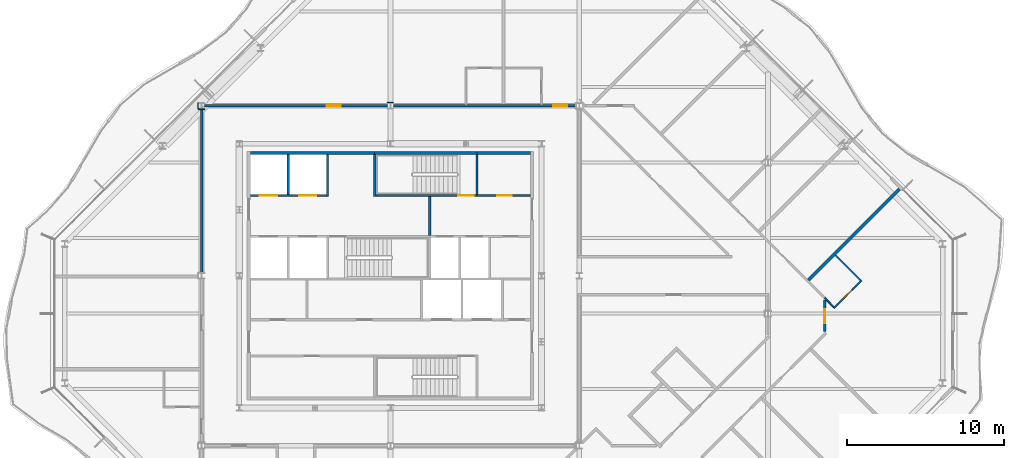
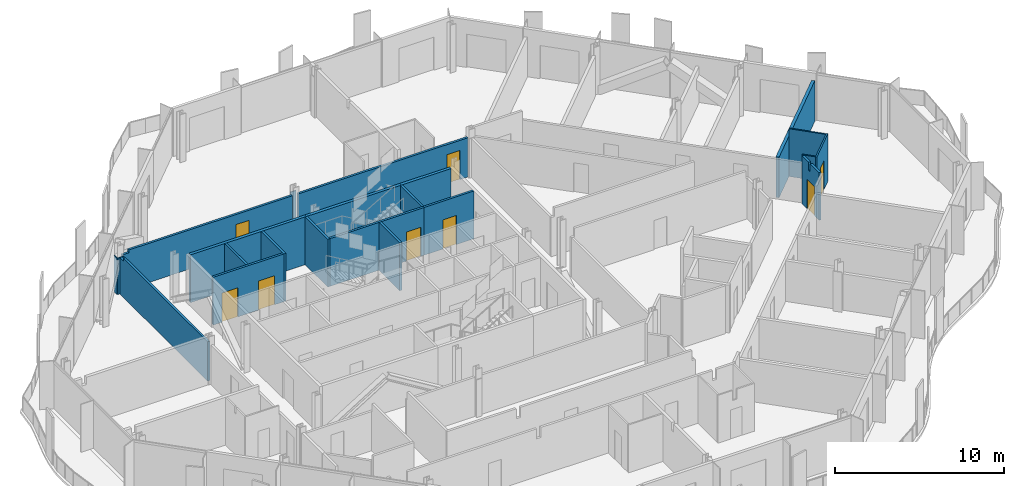
# One storey, part 10 of 17: 22 walls, 8 doors, 8 openings.
"""IFC4 building model written with IfcOpenShell, lengths in metres."""

from ifc_helpers import new_model, si_unit, direction, frame, frame_2d, origin, place, context, subcontext, project, spatial, polyline, rectangle, outline, extrude, material, layer, layer_set, type_object, element, fill, save


model = new_model("IFC4")

# Units and contexts
model_context = context("Model", 3, precision=1e-05, world=origin(), true_north=direction((0.0, 1.0)))
body_context = subcontext(model_context, "Body", "Model", "MODEL_VIEW")
ifc_project = project(units=[si_unit("LENGTHUNIT", "METRE"), si_unit("AREAUNIT", "SQUARE_METRE"), si_unit("VOLUMEUNIT", "CUBIC_METRE"), si_unit("PLANEANGLEUNIT", "RADIAN"), si_unit("MASSUNIT", "GRAM", prefix="KILO")], contexts=[model_context])

# Site, building, storey
site_placement = place(None, origin())
site = spatial("IfcSite", under=ifc_project, at=site_placement, CompositionType="ELEMENT")
building_placement = place(site_placement, origin())
building = spatial("IfcBuilding", under=site, at=building_placement, Name="Cairn Pilgrim Tower", CompositionType="ELEMENT")
storey_placement = place(building_placement, frame((0.0, 0.0, 243.0)))
storey = spatial("IfcBuildingStorey", under=building, at=storey_placement, Name="L62", CompositionType="ELEMENT", Elevation=243.0)

# Walls
ifc_material_1 = material(Name="Concrete C32/40", Category="concrete")
ifc_layer_1 = layer(ifc_material_1, 0.199951171875)
ifc_layer_set_1 = layer_set([ifc_layer_1], Name="CORE OUTER WALL 200 EI 120")
wall_type_1 = type_object("IfcWallType", Name="CORE OUTER WALL 200 EI 120", PredefinedType="SOLIDWALL", material=ifc_layer_set_1)
wall_1_placement = place(storey_placement, frame((-1.699951171875, 10.199951171875, 0.0), z_axis=(0.0, 0.0, 1.0), x_axis=(1.0, 0.0, 0.0)))
element("IfcWall", 1, at=wall_1_placement, inside=storey, type_object=wall_type_1, Name="CW:L62:H12-1", PredefinedType="SOLIDWALL", context=body_context, shape_type="SweptSolid", body=[
    extrude(rectangle(XDim=7.89990234375, YDim=0.199951171875, at=frame_2d((3.949951171875, 0.0))), origin(), (0.0, 0.0, 1.0), 3.449951171875),
])
wall_2_placement = place(storey_placement, frame((12.699951171875, 10.199951171875, 0.0), z_axis=(0.0, 0.0, 1.0), x_axis=(1.0, 0.0, 0.0)))
element("IfcWall", 2, at=wall_2_placement, inside=storey, type_object=wall_type_1, Name="CW:L62:H12-3", PredefinedType="SOLIDWALL", context=body_context, shape_type="SweptSolid", body=[
    extrude(rectangle(XDim=3.400146484375, YDim=0.199951171875, at=frame_2d((1.7001953125, 0.0))), origin(), (0.0, 0.0, 1.0), 3.449951171875),
])

# Wall, openings, doors
ifc_layer_2 = layer(ifc_material_1, 0.14990234375)
ifc_layer_set_2 = layer_set([ifc_layer_2], Name="CORE SHAFT WALL 150 EI 120")
wall_type_2 = type_object("IfcWallType", Name="CORE SHAFT WALL 150 EI 120", PredefinedType="SOLIDWALL", material=ifc_layer_set_2)
wall_3_placement = place(storey_placement, frame((-1.699951171875, 7.5, 0.0), z_axis=(0.0, 0.0, 1.0), x_axis=(1.0, 0.0, 0.0)))
wall_3 = element("IfcWall", 3, at=wall_3_placement, inside=storey, type_object=wall_type_2, Name="CW:L62:H10", PredefinedType="SOLIDWALL", context=body_context, shape_type="SweptSolid", body=[
    extrude(rectangle(XDim=4.824951171875, YDim=0.14990234375, at=frame_2d((2.41259765625, 0.0))), origin(), (0.0, 0.0, 1.0), 3.449951171875),
])
opening_1_placement = place(wall_3_placement, frame((0.60009765625, 0.0, 0.0)))
opening_1 = element("IfcOpeningElement", 4, at=opening_1_placement, cuts=wall_3, Name="Opening LD-HR3", PredefinedType="OPENING", context=body_context, shape_type="SweptSolid", body=[
    extrude(rectangle(XDim=1.10009765625, YDim=2.10009765625, at=frame_2d((0.550048828125, 1.050048828125))), frame((0.0, 0.0849609375, 0.0), z_axis=(0.0, -1.0, 0.0), x_axis=(1.0, 0.0, 0.0)), (0.0, 0.0, 1.0), 0.169921875),
])
opening_2_placement = place(wall_3_placement, frame((3.10009765625, 0.0, 0.0)))
opening_2 = element("IfcOpeningElement", 5, at=opening_2_placement, cuts=wall_3, Name="Opening LD-HR4", PredefinedType="OPENING", context=body_context, shape_type="SweptSolid", body=[
    extrude(rectangle(XDim=1.10009765625, YDim=2.10009765625, at=frame_2d((0.550048828125, 1.050048828125))), frame((0.0, 0.0849609375, 0.0), z_axis=(0.0, -1.0, 0.0), x_axis=(1.0, 0.0, 0.0)), (0.0, 0.0, 1.0), 0.169921875),
])
ifc_material_2 = material(Name="Stainless steel", Category="steel")
door_type_1 = type_object("IfcDoorType", Name="LIFT LANDING DOOR 1100x2100", OperationType="DOUBLE_DOOR_SLIDING", PredefinedType="DOOR", material=ifc_material_2)
door_1_placement = place(opening_1_placement, origin())
door_1 = element("IfcDoor", 6, at=door_1_placement, inside=storey, type_object=door_type_1, Name="LANDING DOOR HR3", OperationType="DOUBLE_DOOR_SLIDING", OverallHeight=2.10009765625, OverallWidth=1.10009765625, PredefinedType="DOOR", context=body_context, shape_type="SweptSolid", body=[
    extrude(rectangle(XDim=1.10009765625, YDim=2.10009765625, at=frame_2d((0.550048828125, 1.050048828125))), frame((0.0, 0.02490234375, 0.0), z_axis=(0.0, -1.0, 0.0), x_axis=(1.0, 0.0, 0.0)), (0.0, 0.0, 1.0), 0.050048828125),
])
fill(opening_1, door_1)
door_2_placement = place(opening_2_placement, origin())
door_2 = element("IfcDoor", 7, at=door_2_placement, inside=storey, type_object=door_type_1, Name="LANDING DOOR HR4", OperationType="DOUBLE_DOOR_SLIDING", OverallHeight=2.10009765625, OverallWidth=1.10009765625, PredefinedType="DOOR", context=body_context, shape_type="SweptSolid", body=[
    extrude(rectangle(XDim=1.10009765625, YDim=2.10009765625, at=frame_2d((0.550048828125, 1.050048828125))), frame((0.0, 0.02490234375, 0.0), z_axis=(0.0, -1.0, 0.0), x_axis=(1.0, 0.0, 0.0)), (0.0, 0.0, 1.0), 0.050048828125),
])
fill(opening_2, door_2)

# Wall, opening, door
wall_4_placement = place(storey_placement, frame((12.699951171875, 7.5, 0.0), z_axis=(0.0, 0.0, 1.0), x_axis=(1.0, 0.0, 0.0)))
wall_4 = element("IfcWall", 8, at=wall_4_placement, inside=storey, type_object=wall_type_2, Name="CW:L62:H11-2", PredefinedType="SOLIDWALL", context=body_context, shape_type="SweptSolid", body=[
    extrude(rectangle(XDim=3.400146484375, YDim=0.14990234375, at=frame_2d((1.7001953125, 0.0))), origin(), (0.0, 0.0, 1.0), 3.449951171875),
])
opening_3_placement = place(wall_4_placement, frame((1.300048828125, 0.0, 0.0)))
opening_3 = element("IfcOpeningElement", 9, at=opening_3_placement, cuts=wall_4, Name="Opening RD-R4E", PredefinedType="OPENING", context=body_context, shape_type="SweptSolid", body=[
    extrude(rectangle(XDim=0.89990234375, YDim=2.10009765625, at=frame_2d((0.449951171875, 1.050048828125))), frame((0.0, 0.0849609375, 0.0), z_axis=(0.0, -1.0, 0.0), x_axis=(1.0, 0.0, 0.0)), (0.0, 0.0, 1.0), 0.169921875),
])
ifc_material_3 = material(Name="Painted steel", Category="steel")
door_type_2 = type_object("IfcDoorType", Name="SERVICE ROOM DOOR 900x2100", OperationType="SINGLE_SWING_LEFT", PredefinedType="DOOR", material=ifc_material_3)
door_3_placement = place(opening_3_placement, origin())
door_3 = element("IfcDoor", 10, at=door_3_placement, inside=storey, type_object=door_type_2, Name="RD-R4E", OperationType="SINGLE_SWING_RIGHT", OverallHeight=2.10009765625, OverallWidth=0.89990234375, PredefinedType="DOOR", context=body_context, shape_type="SweptSolid", body=[
    extrude(rectangle(XDim=0.89990234375, YDim=2.10009765625, at=frame_2d((0.449951171875, 1.050048828125))), frame((0.0, 0.02490234375, 0.0), z_axis=(0.0, -1.0, 0.0), x_axis=(1.0, 0.0, 0.0)), (0.0, 0.0, 1.0), 0.050048828125),
])
fill(opening_3, door_3)

# Walls
wall_5_placement = place(storey_placement, frame((0.699951171875, 7.574951171875, 0.0), z_axis=(0.0, 0.0, 1.0), x_axis=(0.0, 1.0, 0.0)))
element("IfcWall", 11, at=wall_5_placement, inside=storey, type_object=wall_type_2, Name="CW:L62:V15", PredefinedType="SOLIDWALL", context=body_context, shape_type="SweptSolid", body=[
    extrude(rectangle(XDim=2.525146484375, YDim=0.14990234375, at=frame_2d((1.2626953125, 0.0))), origin(), (0.0, 0.0, 1.0), 3.449951171875),
])
wall_6_placement = place(storey_placement, frame((3.199951171875, 7.425048828125, 0.0), z_axis=(0.0, 0.0, 1.0), x_axis=(0.0, 1.0, 0.0)))
element("IfcWall", 12, at=wall_6_placement, inside=storey, type_object=wall_type_2, Name="CW:L62:V18", PredefinedType="SOLIDWALL", context=body_context, shape_type="SweptSolid", body=[
    extrude(rectangle(XDim=2.675048828125, YDim=0.14990234375, at=frame_2d((1.33740234375, 0.0))), origin(), (0.0, 0.0, 1.0), 3.449951171875),
])
wall_7_placement = place(storey_placement, frame((9.699951171875, 4.97509765625, 0.0), z_axis=(0.0, 0.0, 1.0), x_axis=(0.0, 1.0, 0.0)))
element("IfcWall", 13, at=wall_7_placement, inside=storey, type_object=wall_type_2, Name="CW:L62:V23", PredefinedType="SOLIDWALL", context=body_context, shape_type="SweptSolid", body=[
    extrude(rectangle(XDim=2.449951171875, YDim=0.14990234375, at=frame_2d((1.22509765625, 0.0))), origin(), (0.0, 0.0, 1.0), 3.449951171875),
])

# Wall, opening, door
ifc_material_4 = material(Name="Gypsum partition")
ifc_layer_3 = layer(ifc_material_4, 0.10009765625)
ifc_layer_set_3 = layer_set([ifc_layer_3], Name="PARTITION 100 DRYWALL")
wall_type_3 = type_object("IfcWallType", Name="PARTITION 100 DRYWALL", PredefinedType="PARTITIONING", material=ifc_layer_set_3)
wall_8_placement = place(storey_placement, frame((35.382568359375, 0.340576171875, 0.0), z_axis=(0.0, 0.0, 1.0), x_axis=(0.707106781187, 0.707106781187, 0.0)))
wall_8 = element("IfcWall", 14, at=wall_8_placement, inside=storey, type_object=wall_type_3, Name="PARTITION W054", PredefinedType="PARTITIONING", context=body_context, shape_type="SweptSolid", body=[
    extrude(rectangle(XDim=2.5, YDim=0.10009765625, at=frame_2d((1.25, 0.0))), origin(), (0.0, 0.0, 1.0), 3.449951171875),
])
opening_4_placement = place(wall_8_placement, frame((0.85009765625, 0.0, 0.0)))
opening_4 = element("IfcOpeningElement", 15, at=opening_4_placement, cuts=wall_8, Name="Opening 6206A", PredefinedType="OPENING", context=body_context, shape_type="SweptSolid", body=[
    extrude(rectangle(XDim=0.800048828125, YDim=2.10009765625, at=frame_2d((0.39990234375, 1.050048828125))), frame((0.0, 0.06005859375, 0.0), z_axis=(0.0, -1.0, 0.0), x_axis=(1.0, 0.0, 0.0)), (0.0, 0.0, 1.0), 0.1201171875),
])
ifc_material_5 = material(Name="Timber door leaf", Category="wood")
door_type_3 = type_object("IfcDoorType", Name="WC DOOR 800x2100", OperationType="NOTDEFINED", PredefinedType="DOOR", material=ifc_material_5)
door_4_placement = place(opening_4_placement, frame((0.800048828125, 0.0, 0.0), z_axis=(0.0, 0.0, 1.0), x_axis=(-1.0, 0.0, 0.0)))
door_4 = element("IfcDoor", 16, at=door_4_placement, inside=storey, type_object=door_type_3, Name="DOOR 6206A", OperationType="SINGLE_SWING_RIGHT", OverallHeight=2.10009765625, OverallWidth=0.800048828125, PredefinedType="DOOR", context=body_context, shape_type="SweptSolid", body=[
    extrude(rectangle(XDim=0.800048828125, YDim=2.10009765625, at=frame_2d((0.39990234375, 1.050048828125))), frame((0.0, 0.02490234375, 0.0), z_axis=(0.0, -1.0, 0.0), x_axis=(1.0, 0.0, 0.0)), (0.0, 0.0, 1.0), 0.050048828125),
])
fill(opening_4, door_4)

# Walls
wall_9_placement = place(storey_placement, frame((35.382568359375, 0.411376953125, 0.0), z_axis=(0.0, 0.0, 1.0), x_axis=(-0.707106781187, 0.707106781187, 0.0)))
element("IfcWall", 17, at=wall_9_placement, inside=storey, type_object=wall_type_3, Name="PARTITION W055", PredefinedType="PARTITIONING", context=body_context, shape_type="SweptSolid", body=[
    extrude(rectangle(XDim=0.82373046875, YDim=0.10009765625, at=frame_2d((0.411865234375, 0.0))), origin(), (0.0, 0.0, 1.0), 3.449951171875),
])
wall_10_placement = place(storey_placement, frame((37.07958984375, 2.1083984375, 0.0), z_axis=(0.0, 0.0, 1.0), x_axis=(-0.707106781187, 0.707106781187, 0.0)))
element("IfcWall", 18, at=wall_10_placement, inside=storey, type_object=wall_type_3, Name="PARTITION W059", PredefinedType="PARTITIONING", context=body_context, shape_type="SweptSolid", body=[
    extrude(rectangle(XDim=2.249755859375, YDim=0.10009765625, at=frame_2d((1.125, 0.0))), origin(), (0.0, 0.0, 1.0), 3.449951171875),
])

# Wall, opening, door
ifc_layer_4 = layer(ifc_material_4, 0.14990234375)
ifc_layer_set_4 = layer_set([ifc_layer_4], Name="PARTITION 150 DRYWALL EI 60")
wall_type_4 = type_object("IfcWallType", Name="PARTITION 150 DRYWALL EI 60", PredefinedType="PARTITIONING", material=ifc_layer_set_4)
wall_11_placement = place(storey_placement, frame((34.800048828125, -1.139892578125, 0.0), z_axis=(0.0, 0.0, 1.0), x_axis=(0.0, 1.0, 0.0)))
wall_11 = element("IfcWall", 19, at=wall_11_placement, inside=storey, type_object=wall_type_4, Name="PARTITION W052", PredefinedType="PARTITIONING", context=body_context, shape_type="SweptSolid", body=[
    extrude(outline(polyline([(0.0, 0.0), (1.98828125, 0.0), (1.98828125, 3.449951171875), (1.244873046875, 3.449951171875), (1.242919921875, 2.8798828125), (1.034912109375, 2.8798828125), (1.032958984375, 3.449951171875), (0.0, 3.449951171875), (0.0, 0.0)])), frame((0.0, 0.074951171875, 0.0), z_axis=(0.0, -1.0, 0.0), x_axis=(1.0, 0.0, 0.0)), (0.0, 0.0, 1.0), 0.14990234375),
])
opening_5_placement = place(wall_11_placement, frame((0.52685546875, 0.0, 0.0)))
opening_5 = element("IfcOpeningElement", 20, at=opening_5_placement, cuts=wall_11, Name="Opening 6206", PredefinedType="OPENING", context=body_context, shape_type="SweptSolid", body=[
    extrude(rectangle(XDim=0.89990234375, YDim=2.10009765625, at=frame_2d((0.449951171875, 1.050048828125))), frame((0.0, 0.0849609375, 0.0), z_axis=(0.0, -1.0, 0.0), x_axis=(1.0, 0.0, 0.0)), (0.0, 0.0, 1.0), 0.169921875),
])
door_type_4 = type_object("IfcDoorType", Name="ROOM DOOR 900x2100 FD30S", OperationType="NOTDEFINED", PredefinedType="DOOR", material=ifc_material_5)
door_5_placement = place(opening_5_placement, frame((0.89990234375, 0.0, 0.0), z_axis=(0.0, 0.0, 1.0), x_axis=(-1.0, 0.0, 0.0)))
door_5 = element("IfcDoor", 21, at=door_5_placement, inside=storey, type_object=door_type_4, Name="DOOR 6206", OperationType="SINGLE_SWING_RIGHT", OverallHeight=2.10009765625, OverallWidth=0.89990234375, PredefinedType="DOOR", context=body_context, shape_type="SweptSolid", body=[
    extrude(rectangle(XDim=0.89990234375, YDim=2.10009765625, at=frame_2d((0.449951171875, 1.050048828125))), frame((0.0, 0.02490234375, 0.0), z_axis=(0.0, -1.0, 0.0), x_axis=(1.0, 0.0, 0.0)), (0.0, 0.0, 1.0), 0.050048828125),
])
fill(opening_5, door_5)

# Wall
wall_12_placement = place(storey_placement, frame((-4.800048828125, 2.58740234375, 0.0), z_axis=(0.0, 0.0, 1.0), x_axis=(0.0, 1.0, 0.0)))
element("IfcWall", 22, at=wall_12_placement, inside=storey, type_object=wall_type_4, Name="PARTITION W061", PredefinedType="PARTITIONING", context=body_context, shape_type="SweptSolid", body=[
    extrude(outline(polyline([(0.0, 0.0), (10.425048828125, 0.0), (10.425048828125, 2.6298828125), (9.9697265625, 2.6298828125), (9.9677734375, 2.830078125), (0.0, 2.830078125), (0.0, 0.0)])), frame((0.0, 0.074951171875, 0.0), z_axis=(0.0, -1.0, 0.0), x_axis=(1.0, 0.0, 0.0)), (0.0, 0.0, 1.0), 0.14990234375),
])

# Wall, opening, door
wall_13_placement = place(storey_placement, frame((-4.60302734375, 13.199951171875, 0.0), z_axis=(0.0, 0.0, 1.0), x_axis=(1.0, 0.0, 0.0)))
wall_13 = element("IfcWall", 23, at=wall_13_placement, inside=storey, type_object=wall_type_4, Name="PARTITION W070", PredefinedType="PARTITIONING", context=body_context, shape_type="SweptSolid", body=[
    extrude(outline(polyline([(0.0, 0.0), (11.60595703125, 0.0), (11.60595703125, 2.830078125), (0.44580078125, 2.830078125), (0.44384765625, 2.6298828125), (0.0, 2.6298828125), (0.0, 0.0)])), frame((0.0, 0.074951171875, 0.0), z_axis=(0.0, -1.0, 0.0), x_axis=(1.0, 0.0, 0.0)), (0.0, 0.0, 1.0), 0.14990234375),
])
opening_6_placement = place(wall_13_placement, frame((7.7529296875, 0.0, 0.0)))
opening_6 = element("IfcOpeningElement", 24, at=opening_6_placement, cuts=wall_13, Name="Opening 6212", PredefinedType="OPENING", context=body_context, shape_type="SweptSolid", body=[
    extrude(rectangle(XDim=0.89990234375, YDim=2.10009765625, at=frame_2d((0.449951171875, 1.050048828125))), frame((0.0, 0.0849609375, 0.0), z_axis=(0.0, -1.0, 0.0), x_axis=(1.0, 0.0, 0.0)), (0.0, 0.0, 1.0), 0.169921875),
])
door_6_placement = place(opening_6_placement, origin())
door_6 = element("IfcDoor", 25, at=door_6_placement, inside=storey, type_object=door_type_4, Name="DOOR 6212", OperationType="SINGLE_SWING_LEFT", OverallHeight=2.10009765625, OverallWidth=0.89990234375, PredefinedType="DOOR", context=body_context, shape_type="SweptSolid", body=[
    extrude(rectangle(XDim=0.89990234375, YDim=2.10009765625, at=frame_2d((0.449951171875, 1.050048828125))), frame((0.0, 0.02490234375, 0.0), z_axis=(0.0, -1.0, 0.0), x_axis=(1.0, 0.0, 0.0)), (0.0, 0.0, 1.0), 0.050048828125),
])
fill(opening_6, door_6)

wall_14_placement = place(storey_placement, frame((7.39697265625, 13.199951171875, 0.0), z_axis=(0.0, 0.0, 1.0), x_axis=(1.0, 0.0, 0.0)))
wall_14 = element("IfcWall", 26, at=wall_14_placement, inside=storey, type_object=wall_type_4, Name="PARTITION W071", PredefinedType="PARTITIONING", context=body_context, shape_type="SweptSolid", body=[
    extrude(rectangle(XDim=11.60595703125, YDim=0.14990234375, at=frame_2d((5.802978515625, 0.0))), origin(), (0.0, 0.0, 1.0), 2.830078125),
])
opening_7_placement = place(wall_14_placement, frame((10.153076171875, 0.0, 0.0)))
opening_7 = element("IfcOpeningElement", 27, at=opening_7_placement, cuts=wall_14, Name="Opening 6211", PredefinedType="OPENING", context=body_context, shape_type="SweptSolid", body=[
    extrude(rectangle(XDim=0.89990234375, YDim=2.10009765625, at=frame_2d((0.449951171875, 1.050048828125))), frame((0.0, 0.0849609375, 0.0), z_axis=(0.0, -1.0, 0.0), x_axis=(1.0, 0.0, 0.0)), (0.0, 0.0, 1.0), 0.169921875),
])
door_7_placement = place(opening_7_placement, origin())
door_7 = element("IfcDoor", 28, at=door_7_placement, inside=storey, type_object=door_type_4, Name="DOOR 6211", OperationType="SINGLE_SWING_LEFT", OverallHeight=2.10009765625, OverallWidth=0.89990234375, PredefinedType="DOOR", context=body_context, shape_type="SweptSolid", body=[
    extrude(rectangle(XDim=0.89990234375, YDim=2.10009765625, at=frame_2d((0.449951171875, 1.050048828125))), frame((0.0, 0.02490234375, 0.0), z_axis=(0.0, -1.0, 0.0), x_axis=(1.0, 0.0, 0.0)), (0.0, 0.0, 1.0), 0.050048828125),
])
fill(opening_7, door_7)

# Walls
ifc_layer_5 = layer(ifc_material_4, 0.050048828125)
ifc_layer_set_5 = layer_set([ifc_layer_5], Name="PARTITION 50 DRYWALL EI 60")
wall_type_5 = type_object("IfcWallType", Name="PARTITION 50 DRYWALL EI 60", PredefinedType="PARTITIONING", material=ifc_layer_set_5)
wall_15_placement = place(storey_placement, frame((-5.02197265625, 13.012451171875, 0.0), z_axis=(0.0, 0.0, 1.0), x_axis=(0.0, 1.0, 0.0)))
element("IfcWall", 29, at=wall_15_placement, inside=storey, type_object=wall_type_5, Name="COLUMN CASING WC08", PredefinedType="PARTITIONING", context=body_context, shape_type="SweptSolid", body=[
    extrude(rectangle(XDim=0.375, YDim=0.050048828125, at=frame_2d((0.1875, 0.0))), origin(), (0.0, 0.0, 1.0), 2.6298828125),
])
wall_16_placement = place(storey_placement, frame((-4.9970703125, 12.987548828125, 0.0), z_axis=(0.0, 0.0, 1.0), x_axis=(1.0, 0.0, 0.0)))
element("IfcWall", 30, at=wall_16_placement, inside=storey, type_object=wall_type_5, Name="COLUMN CASING WC20", PredefinedType="PARTITIONING", context=body_context, shape_type="SweptSolid", body=[
    extrude(rectangle(XDim=0.39404296875, YDim=0.050048828125, at=frame_2d((0.197021484375, 0.0))), origin(), (0.0, 0.0, 1.0), 2.6298828125),
])
wall_17_placement = place(storey_placement, frame((7.0029296875, 13.41259765625, 0.0), z_axis=(0.0, 0.0, 1.0), x_axis=(1.0, 0.0, 0.0)))
element("IfcWall", 31, at=wall_17_placement, inside=storey, type_object=wall_type_5, Name="COLUMN CASING WC21", PredefinedType="PARTITIONING", context=body_context, shape_type="SweptSolid", body=[
    extrude(rectangle(XDim=0.39404296875, YDim=0.050048828125, at=frame_2d((0.197021484375, 0.0))), origin(), (0.0, 0.0, 1.0), 2.929931640625),
])
ifc_layer_6 = layer(ifc_material_4, 0.199951171875)
ifc_layer_set_6 = layer_set([ifc_layer_6], Name="SHAFT WALL 200 GYPSUM EI 60")
wall_type_6 = type_object("IfcWallType", Name="SHAFT WALL 200 GYPSUM EI 60", PredefinedType="PARTITIONING", material=ifc_layer_set_6)
wall_18_placement = place(storey_placement, frame((33.77392578125, 2.1259765625, 0.0), z_axis=(0.0, 0.0, 1.0), x_axis=(0.707121711178, 0.70709185088, 0.0)))
element("IfcWall", 32, at=wall_18_placement, inside=storey, type_object=wall_type_6, Name="PARTITION W058", PredefinedType="PARTITIONING", context=body_context, shape_type="SweptSolid", body=[
    extrude(rectangle(XDim=8.176025390625, YDim=0.199951171875, at=frame_2d((4.087890625, 0.0))), origin(), (0.0, 0.0, 1.0), 2.929931640625),
])

# Wall, opening, door
ifc_material_6 = material(Name="Concrete C35/45", Category="concrete")
ifc_layer_7 = layer(ifc_material_6, 0.14990234375)
ifc_layer_set_7 = layer_set([ifc_layer_7], Name="STAIR SHAFT WALL 150 EI 120")
wall_type_7 = type_object("IfcWallType", Name="STAIR SHAFT WALL 150 EI 120", PredefinedType="SOLIDWALL", material=ifc_layer_set_7)
wall_19_placement = place(storey_placement, frame((6.27490234375, 7.5, 0.0), z_axis=(0.0, 0.0, 1.0), x_axis=(1.0, 0.0, 0.0)))
wall_19 = element("IfcWall", 33, at=wall_19_placement, inside=storey, type_object=wall_type_7, Name="CW:L62:H11-1", PredefinedType="SOLIDWALL", context=body_context, shape_type="SweptSolid", body=[
    extrude(rectangle(XDim=6.425048828125, YDim=0.14990234375, at=frame_2d((3.21240234375, 0.0))), origin(), (0.0, 0.0, 1.0), 3.449951171875),
])
opening_8_placement = place(wall_19_placement, frame((5.22509765625, 0.0, 0.0)))
opening_8 = element("IfcOpeningElement", 34, at=opening_8_placement, cuts=wall_19, Name="Opening SD-C", PredefinedType="OPENING", context=body_context, shape_type="SweptSolid", body=[
    extrude(rectangle(XDim=1.0, YDim=2.10009765625, at=frame_2d((0.5, 1.050048828125))), frame((0.0, 0.0849609375, 0.0), z_axis=(0.0, -1.0, 0.0), x_axis=(1.0, 0.0, 0.0)), (0.0, 0.0, 1.0), 0.169921875),
])
door_type_5 = type_object("IfcDoorType", Name="STAIR DOOR FD60S 1000x2100", OperationType="SINGLE_SWING_LEFT", PredefinedType="DOOR", material=ifc_material_3)
door_8_placement = place(opening_8_placement, origin())
door_8 = element("IfcDoor", 35, at=door_8_placement, inside=storey, type_object=door_type_5, Name="SD-C", OperationType="SINGLE_SWING_LEFT", OverallHeight=2.10009765625, OverallWidth=1.0, PredefinedType="DOOR", context=body_context, shape_type="SweptSolid", body=[
    extrude(rectangle(XDim=1.0, YDim=2.10009765625, at=frame_2d((0.5, 1.050048828125))), frame((0.0, 0.02490234375, 0.0), z_axis=(0.0, -1.0, 0.0), x_axis=(1.0, 0.0, 0.0)), (0.0, 0.0, 1.0), 0.050048828125),
])
fill(opening_8, door_8)

# Walls
wall_20_placement = place(storey_placement, frame((6.199951171875, 7.425048828125, 0.0), z_axis=(0.0, 0.0, 1.0), x_axis=(0.0, 1.0, 0.0)))
element("IfcWall", 36, at=wall_20_placement, inside=storey, type_object=wall_type_7, Name="CW:L62:V20", PredefinedType="SOLIDWALL", context=body_context, shape_type="SweptSolid", body=[
    extrude(rectangle(XDim=2.675048828125, YDim=0.14990234375, at=frame_2d((1.33740234375, 0.0))), origin(), (0.0, 0.0, 1.0), 3.449951171875),
])
wall_21_placement = place(storey_placement, frame((12.699951171875, 7.574951171875, 0.0), z_axis=(0.0, 0.0, 1.0), x_axis=(0.0, 1.0, 0.0)))
element("IfcWall", 37, at=wall_21_placement, inside=storey, type_object=wall_type_7, Name="CW:L62:V27", PredefinedType="SOLIDWALL", context=body_context, shape_type="SweptSolid", body=[
    extrude(rectangle(XDim=2.525146484375, YDim=0.14990234375, at=frame_2d((1.2626953125, 0.0))), origin(), (0.0, 0.0, 1.0), 3.449951171875),
])
ifc_layer_8 = layer(ifc_material_6, 0.199951171875)
ifc_layer_set_8 = layer_set([ifc_layer_8], Name="STAIR SHAFT WALL 200 EI 120")
wall_type_8 = type_object("IfcWallType", Name="STAIR SHAFT WALL 200 EI 120", PredefinedType="SOLIDWALL", material=ifc_layer_set_8)
wall_22_placement = place(storey_placement, frame((6.199951171875, 10.199951171875, 0.0), z_axis=(0.0, 0.0, 1.0), x_axis=(1.0, 0.0, 0.0)))
element("IfcWall", 38, at=wall_22_placement, inside=storey, type_object=wall_type_8, Name="CW:L62:H12-2", PredefinedType="SOLIDWALL", context=body_context, shape_type="SweptSolid", body=[
    extrude(rectangle(XDim=6.5, YDim=0.199951171875, at=frame_2d((3.25, 0.0))), origin(), (0.0, 0.0, 1.0), 3.449951171875),
])

save(model, "model.ifc")
